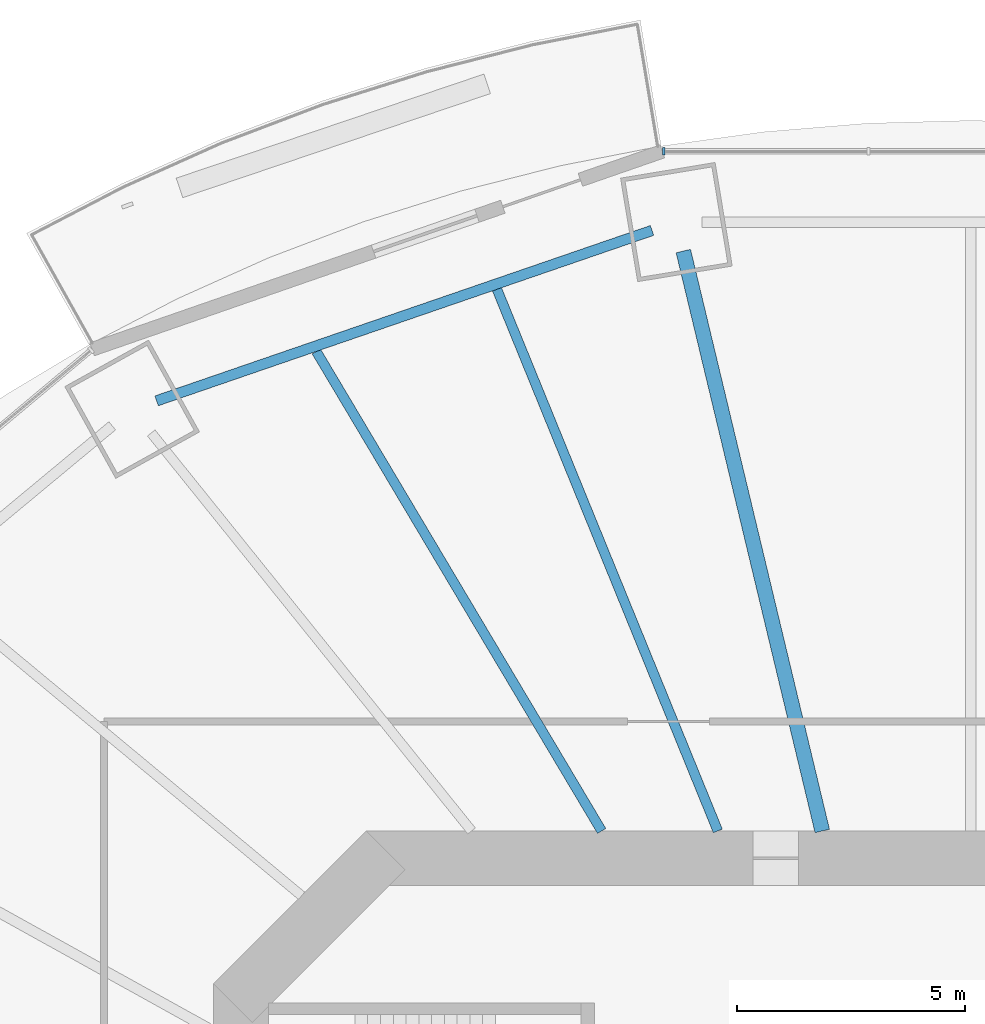
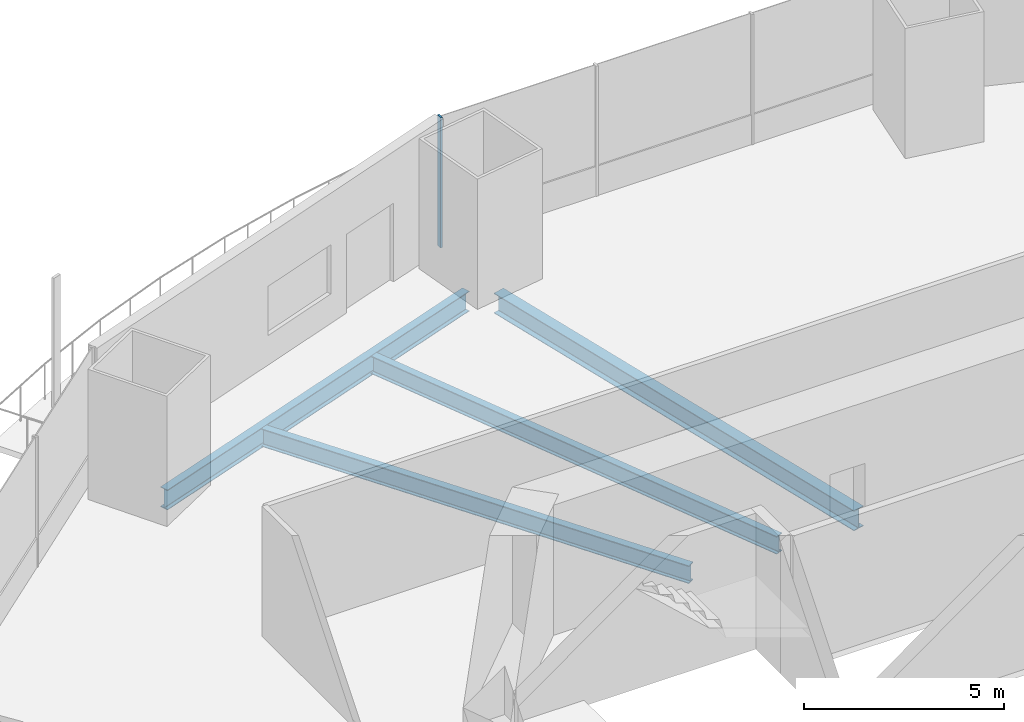
# One storey, part 7 of 22: 4 beams, 1 member, 1 element without a shape of its own.
"""IFC4 building model written with IfcOpenShell, lengths in metres."""

from ifc_helpers import new_model, si_unit, direction, frame, origin, origin_2d, place, context, subcontext, project, spatial, rectangle, i_section, extrude, material, material_profile, profile_set, type_object, element, aggregate, save


model = new_model("IFC4")

# Units and contexts
model_context = context("Model", 3, precision=1e-05, world=origin(), true_north=direction((0.0, 1.0)))
body_context = subcontext(model_context, "Body", "Model", "MODEL_VIEW")
ifc_project = project(units=[si_unit("LENGTHUNIT", "METRE"), si_unit("AREAUNIT", "SQUARE_METRE"), si_unit("VOLUMEUNIT", "CUBIC_METRE"), si_unit("PLANEANGLEUNIT", "RADIAN"), si_unit("MASSUNIT", "GRAM", prefix="KILO")], contexts=[model_context])

# Site, building, storey
site_placement = place(None, origin())
site = spatial("IfcSite", under=ifc_project, at=site_placement, CompositionType="ELEMENT")
building_placement = place(site_placement, origin())
building = spatial("IfcBuilding", under=site, at=building_placement, Name="Marenthal Gate Tower", CompositionType="ELEMENT")
storey_placement = place(building_placement, frame((0.0, 0.0, 103.550048828125)))
storey = spatial("IfcBuildingStorey", under=building, at=storey_placement, Name="L21", CompositionType="ELEMENT", Elevation=103.550048828125)

# Curtain wall, member
ifc_material_1 = material(Name="Aluminium and glass", Category="aluminium")
curtain_wall_type = type_object("IfcCurtainWallType", Name="Curtain wall typical low", PredefinedType="NOTDEFINED", material=ifc_material_1)
curtain_wall_placement = place(storey_placement, origin())
curtain_wall = element("IfcCurtainWall", 1, at=curtain_wall_placement, inside=storey, type_object=curtain_wall_type, Name="Curtain wall L21 bay 4", PredefinedType="NOTDEFINED")
ifc_material_2 = material(Name="Aluminium", Category="aluminium")
ifc_material_profile_1 = material_profile(ifc_material_2, rectangle(XDim=0.159912109375, YDim=0.06005859375, at=origin_2d()), Name="60x160 aluminium mullion")
ifc_profile_set_1 = profile_set([ifc_material_profile_1], Name="Aluminium")
member_type = type_object("IfcMemberType", Name="Mullion 60x160 typical low", PredefinedType="MULLION", material=ifc_profile_set_1)
member_placement = place(storey_placement, frame((-6.7333984375, 28.494873046875, 0.0), z_axis=(0.0, 0.0, 1.0), x_axis=(0.0, -1.0, 0.0)))
member = element("IfcMember", 2, at=member_placement, type_object=member_type, Name="Mullion L21 bay 4.4", PredefinedType="MULLION", context=body_context, shape_type="SweptSolid", body=[
    extrude(rectangle(XDim=0.159912109375, YDim=0.06005859375, at=origin_2d()), origin(), (0.0, 0.0, 1.0), 3.969970703125),
])
aggregate(curtain_wall, [member])

# Beams
ifc_material_3 = material(Name="Steel S355", Category="steel")
ifc_material_profile_2 = material_profile(ifc_material_3, i_section(OverallWidth=0.2119140625, OverallDepth=0.5439453125, WebThickness=0.01318359375, FlangeThickness=0.021240234375, FilletRadius=0.0126953125, at=origin_2d()), Name="W530X123")
ifc_profile_set_2 = profile_set([ifc_material_profile_2], Name="Steel S355")
beam_type_1 = type_object("IfcBeamType", Name="W530X123 beam", PredefinedType="BEAM", material=ifc_profile_set_2)
beam_1_placement = place(storey_placement, frame((-10.3876953125, 25.4716796875, -0.4521484375), z_axis=(0.377613822907, -0.925963174618, 0.0), x_axis=(0.925963174618, 0.377613822907, 0.0)))
element("IfcBeam", 3, at=beam_1_placement, inside=storey, type_object=beam_type_1, Name="BM-L21-23", PredefinedType="BEAM", context=body_context, shape_type="SweptSolid", body=[
    extrude(i_section(OverallWidth=0.2119140625, OverallDepth=0.5439453125, WebThickness=0.01318359375, FlangeThickness=0.021240234375, FilletRadius=0.0126953125, at=origin_2d()), origin(), (0.0, 0.0, 1.0), 12.82080078125),
])
beam_2_placement = place(storey_placement, frame((-14.346923828125, 24.10986328125, -0.4521484375), z_axis=(0.511368740727, -0.859361397206, 0.0), x_axis=(0.859361397206, 0.511368740727, 0.0)))
element("IfcBeam", 4, at=beam_2_placement, inside=storey, type_object=beam_type_1, Name="BM-L21-24", PredefinedType="BEAM", context=body_context, shape_type="SweptSolid", body=[
    extrude(i_section(OverallWidth=0.2119140625, OverallDepth=0.5439453125, WebThickness=0.01318359375, FlangeThickness=0.021240234375, FilletRadius=0.0126953125, at=origin_2d()), origin(), (0.0, 0.0, 1.0), 12.229736328125),
])
ifc_material_4 = material(Name="Steel S355", Category="steel")
ifc_material_profile_3 = material_profile(ifc_material_4, i_section(OverallWidth=0.22900390625, OverallDepth=0.612060546875, WebThickness=0.011962890625, FlangeThickness=0.01953125, FilletRadius=0.0126953125, at=origin_2d()), Name="W610X125")
ifc_profile_set_3 = profile_set([ifc_material_profile_3], Name="Steel S355")
beam_type_2 = type_object("IfcBeamType", Name="W610X125 beam", PredefinedType="BEAM", material=ifc_profile_set_3)
beam_3_placement = place(storey_placement, frame((-6.9892578125, 26.761474609375, -0.486083984375), z_axis=(-0.945633885285, -0.325233077963, 0.0), x_axis=(0.325233077963, -0.945633885285, 0.0)))
element("IfcBeam", 5, at=beam_3_placement, inside=storey, type_object=beam_type_2, Name="BM-L21-45", PredefinedType="BEAM", context=body_context, shape_type="SweptSolid", body=[
    extrude(i_section(OverallWidth=0.22900390625, OverallDepth=0.612060546875, WebThickness=0.011962890625, FlangeThickness=0.01953125, FilletRadius=0.0126953125, at=origin_2d()), origin(), (0.0, 0.0, 1.0), 11.482177734375),
])
ifc_material_5 = material(Name="Steel S355", Category="steel")
ifc_material_profile_4 = material_profile(ifc_material_5, i_section(OverallWidth=0.324951171875, OverallDepth=0.612060546875, WebThickness=0.0126953125, FlangeThickness=0.01904296875, FilletRadius=0.0126953125, at=origin_2d()), Name="W610X155")
ifc_profile_set_4 = profile_set([ifc_material_profile_4], Name="Steel S355")
beam_type_3 = type_object("IfcBeamType", Name="W610X155 beam", PredefinedType="BEAM", material=ifc_profile_set_4)
beam_4_placement = place(storey_placement, frame((-6.302978515625, 26.31005859375, -0.486083984375), z_axis=(0.232977289633, -0.972482175937, 0.0), x_axis=(0.972482175937, 0.232977289633, 0.0)))
element("IfcBeam", 6, at=beam_4_placement, inside=storey, type_object=beam_type_3, Name="BM-L21-05", PredefinedType="BEAM", context=body_context, shape_type="SweptSolid", body=[
    extrude(i_section(OverallWidth=0.324951171875, OverallDepth=0.612060546875, WebThickness=0.0126953125, FlangeThickness=0.01904296875, FilletRadius=0.0126953125, at=origin_2d()), origin(), (0.0, 0.0, 1.0), 13.069580078125),
])

save(model, "model.ifc")
